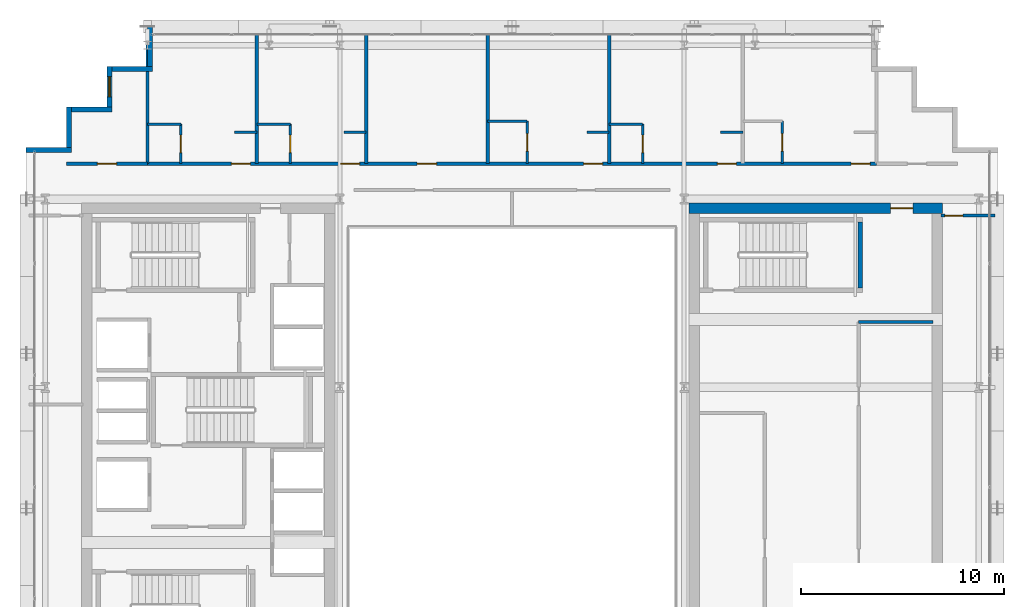
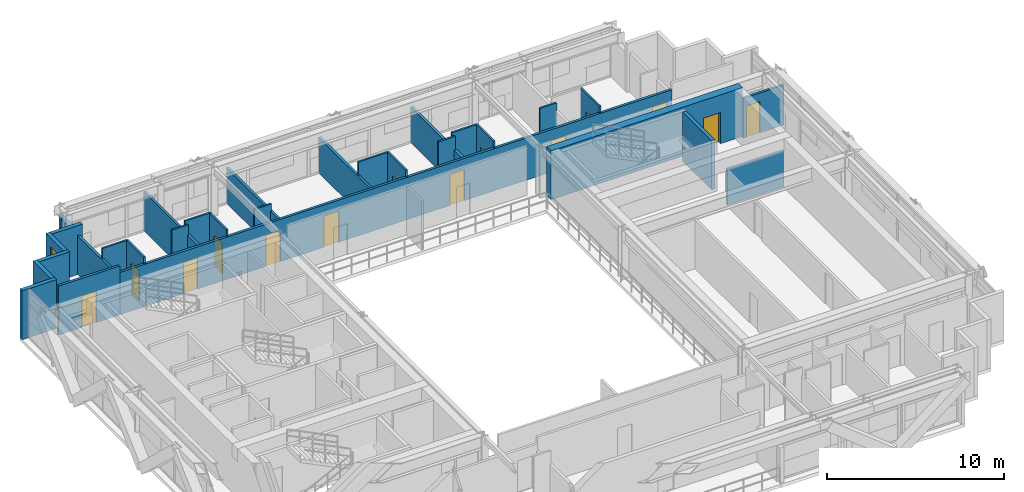
# One storey, part 27 of 32: 30 walls, 14 doors, 1 window, 15 openings.
"""IFC4 building model written with IfcOpenShell, lengths in metres."""

from ifc_helpers import new_model, si_unit, direction, frame, frame_2d, origin, place, context, subcontext, project, spatial, rectangle, extrude, source, transform, mapped, material, layer, layer_set, type_object, element, fill, save


model = new_model("IFC4")

# Units and contexts
model_context = context("Model", 3, precision=1e-05, world=origin(), true_north=direction((0.0, 1.0)))
body_context = subcontext(model_context, "Body", "Model", "MODEL_VIEW")
ifc_project = project(units=[si_unit("LENGTHUNIT", "METRE"), si_unit("AREAUNIT", "SQUARE_METRE"), si_unit("VOLUMEUNIT", "CUBIC_METRE"), si_unit("PLANEANGLEUNIT", "RADIAN"), si_unit("MASSUNIT", "GRAM", prefix="KILO")], contexts=[model_context])

# Site, building, storey
site_placement = place(None, origin())
site = spatial("IfcSite", under=ifc_project, at=site_placement, CompositionType="ELEMENT")
building_placement = place(site_placement, origin())
building = spatial("IfcBuilding", under=site, at=building_placement, Name="Ocotamira Hotel", CompositionType="ELEMENT")
storey_placement = place(building_placement, frame((0.0, 0.0, 206.39990234375)))
storey = spatial("IfcBuildingStorey", under=building, at=storey_placement, Name="L52", CompositionType="ELEMENT", Elevation=206.39990234375)

# Wall, opening, door
ifc_material_1 = material(Name="Concrete C50/60", Category="concrete")
ifc_layer_1 = layer(ifc_material_1, 0.5)
ifc_layer_set_1 = layer_set([ifc_layer_1], Name="Concrete C50/60")
wall_type_1 = type_object("IfcWallType", Name="WL-CORE-500", PredefinedType="SHEAR", material=ifc_layer_set_1)
wall_1_placement = place(storey_placement, frame((40.75, 37.0, 0.0), z_axis=(0.0, 0.0, 1.0), x_axis=(1.0, 0.0, 0.0)))
wall_1 = element("IfcWall", 1, at=wall_1_placement, inside=storey, type_object=wall_type_1, Name="L52 Shear Core Wall ECORE-N", PredefinedType="SHEAR", context=body_context, shape_type="SweptSolid", body=[
    extrude(rectangle(XDim=12.5, YDim=0.5, at=frame_2d((6.25, 0.0))), origin(), (0.0, 0.0, 1.0), 3.3701171875),
])
opening_1_placement = place(wall_1_placement, frame((9.949951171875, 0.0, 0.0)))
opening_1 = element("IfcOpeningElement", 2, at=opening_1_placement, cuts=wall_1, Name="Opening D-FR1", PredefinedType="OPENING", context=body_context, shape_type="SweptSolid", body=[
    extrude(rectangle(XDim=1.10009765625, YDim=2.14990234375, at=frame_2d((0.550048828125, 1.074951171875))), frame((0.0, 0.260009765625, 0.0), z_axis=(0.0, -1.0, 0.0), x_axis=(1.0, 0.0, 0.0)), (0.0, 0.0, 1.0), 0.52001953125),
])
ifc_material_2 = material(Name="Fire-rated acoustic timber-veneer door", Category="wood")
door_type_1 = type_object("IfcDoorType", Name="DR-FIRE-1100", OperationType="NOTDEFINED", PredefinedType="DOOR", material=ifc_material_2)
shared_shape_1 = source(origin(), body_context, "Body", "SweptSolid", [
    extrude(rectangle(XDim=1.10009765625, YDim=2.14990234375, at=frame_2d((0.550048828125, 1.074951171875))), frame((0.0, 0.02490234375, 0.0), z_axis=(0.0, -1.0, 0.0), x_axis=(1.0, 0.0, 0.0)), (0.0, 0.0, 1.0), 0.050048828125),
])
door_1_placement = place(opening_1_placement, origin())
door_1 = element("IfcDoor", 3, at=door_1_placement, inside=storey, type_object=door_type_1, Name="L52 Door ID-L52-ELOB-N-D [ID-L52-ELOB-N-D]", OperationType="SINGLE_SWING_LEFT", OverallHeight=2.14990234375, OverallWidth=1.10009765625, PredefinedType="DOOR", context=body_context, shape_type="MappedRepresentation", body=[
    mapped(shared_shape_1, transform((0.0, 0.0, 0.0), scale=1.0)),
])
fill(opening_1, door_1)

# Walls
ifc_material_3 = material(Name="Precast concrete C45/55", Category="concrete")
ifc_layer_2 = layer(ifc_material_3, 0.25)
ifc_layer_set_2 = layer_set([ifc_layer_2], Name="Precast concrete C45/55")
wall_type_2 = type_object("IfcWallType", Name="WL-EXT-SER-250", PredefinedType="SOLIDWALL", material=ifc_layer_set_2)
wall_2_placement = place(storey_placement, frame((14.125, 46.0, 0.0), z_axis=(0.0, 0.0, 1.0), x_axis=(0.0, -1.0, 0.0)))
element("IfcWall", 4, at=wall_2_placement, inside=storey, type_object=wall_type_2, Name="L52 Serrated Corner Wall 13", PredefinedType="SOLIDWALL", context=body_context, shape_type="SweptSolid", body=[
    extrude(rectangle(XDim=2.0, YDim=0.25, at=frame_2d((1.0, 0.0))), origin(), (0.0, 0.0, 1.0), 2.677001953125),
])
wall_3_placement = place(storey_placement, frame((14.25, 43.875, 0.0), z_axis=(0.0, 0.0, 1.0), x_axis=(-1.0, 0.0, 0.0)))
element("IfcWall", 5, at=wall_3_placement, inside=storey, type_object=wall_type_2, Name="L52 Serrated Corner Wall 14", PredefinedType="SOLIDWALL", context=body_context, shape_type="SweptSolid", body=[
    extrude(rectangle(XDim=2.0, YDim=0.25, at=frame_2d((1.0, 0.0))), origin(), (0.0, 0.0, 1.0), 3.3701171875),
])

# Wall, opening, window
wall_4_placement = place(storey_placement, frame((12.125, 44.0, 0.0), z_axis=(0.0, 0.0, 1.0), x_axis=(0.0, -1.0, 0.0)))
wall_4 = element("IfcWall", 6, at=wall_4_placement, inside=storey, type_object=wall_type_2, Name="L52 Serrated Corner Wall 15", PredefinedType="SOLIDWALL", context=body_context, shape_type="SweptSolid", body=[
    extrude(rectangle(XDim=2.0, YDim=0.25, at=frame_2d((1.0, 0.0))), origin(), (0.0, 0.0, 1.0), 3.3701171875),
])
opening_2_placement = place(wall_4_placement, frame((0.5, 0.0, 0.85009765625)))
opening_2 = element("IfcOpeningElement", 7, at=opening_2_placement, cuts=wall_4, Name="Opening WN-2", PredefinedType="OPENING", context=body_context, shape_type="SweptSolid", body=[
    extrude(rectangle(XDim=1.0, YDim=1.89990234375, at=frame_2d((0.5, 0.949951171875))), frame((0.0, 0.135009765625, 0.0), z_axis=(0.0, -1.0, 0.0), x_axis=(1.0, 0.0, 0.0)), (0.0, 0.0, 1.0), 0.27001953125),
])
ifc_material_4 = material(Name="Double-silver low-E solar glass", Category="glass")
window_type = type_object("IfcWindowType", Name="WIN-SER-1100", PartitioningType="SINGLE_PANEL", PredefinedType="WINDOW", material=ifc_material_4)
shared_shape_2 = source(origin(), body_context, "Body", "SweptSolid", [
    extrude(rectangle(XDim=1.0, YDim=1.89990234375, at=frame_2d((0.5, 0.949951171875))), frame((0.0, 0.030029296875, 0.0), z_axis=(0.0, -1.0, 0.0), x_axis=(1.0, 0.0, 0.0)), (0.0, 0.0, 1.0), 0.06005859375),
])
window_placement = place(opening_2_placement, origin())
window = element("IfcWindow", 8, at=window_placement, inside=storey, type_object=window_type, Name="L52 Serrated Corner Window 15", OverallHeight=1.89990234375, OverallWidth=1.0, PartitioningType="SINGLE_PANEL", PredefinedType="WINDOW", context=body_context, shape_type="MappedRepresentation", body=[
    mapped(shared_shape_2, transform((0.0, 0.0, 0.0), scale=1.0)),
])
fill(opening_2, window)

# Walls
for number, where, z_axis, x_axis, name in (
    (9, (12.25, 41.875, 0.0), (0.0, 0.0, 1.0), (-1.0, 0.0, 0.0), "L52 Serrated Corner Wall 16"),
    (10, (10.125, 42.0, 0.0), (0.0, 0.0, 1.0), (0.0, -1.0, 0.0), "L52 Serrated Corner Wall 17"),
):
    element("IfcWall", number, at=place(storey_placement, frame(where, z_axis=z_axis, x_axis=x_axis)), inside=storey, type_object=wall_type_2, Name=name, PredefinedType="SOLIDWALL", context=body_context, shape_type="SweptSolid", body=[
        extrude(rectangle(XDim=2.0, YDim=0.25, at=frame_2d((1.0, 0.0))), origin(), (0.0, 0.0, 1.0), 3.3701171875),
    ])
wall_5_placement = place(storey_placement, frame((10.25, 39.875, 0.0), z_axis=(0.0, 0.0, 1.0), x_axis=(-1.0, 0.0, 0.0)))
element("IfcWall", 11, at=wall_5_placement, inside=storey, type_object=wall_type_2, Name="L52 Serrated Corner Wall 18", PredefinedType="SOLIDWALL", context=body_context, shape_type="SweptSolid", body=[
    extrude(rectangle(XDim=2.25, YDim=0.25, at=frame_2d((1.125, 0.0))), origin(), (0.0, 0.0, 1.0), 3.3701171875),
])
ifc_material_5 = material(Name="Acoustic double-layer fire gypsum board partition", Category="gypsum")
ifc_layer_3 = layer(ifc_material_5, 0.159912109375)
ifc_layer_set_3 = layer_set([ifc_layer_3], Name="Acoustic double-layer fire gypsum board partition")
wall_type_3 = type_object("IfcWallType", Name="WL-FIRE-160", PredefinedType="PARTITIONING", material=ifc_layer_set_3)
wall_6_placement = place(storey_placement, frame((49.1201171875, 31.3798828125, 0.0), z_axis=(0.0, 0.0, 1.0), x_axis=(1.0, 0.0, 0.0)))
element("IfcWall", 12, at=wall_6_placement, inside=storey, type_object=wall_type_3, Name="L52 Interior Wall PW-L52-EC-FLOW-N", PredefinedType="PARTITIONING", context=body_context, shape_type="SweptSolid", body=[
    extrude(rectangle(XDim=3.679931640625, YDim=0.159912109375, at=frame_2d((1.83984375, 0.0))), origin(), (0.0, 0.0, 1.0), 2.47021484375),
])

# Wall, opening, door
wall_7_placement = place(storey_placement, frame((10.0, 39.199951171875, 0.0), z_axis=(0.0, 0.0, 1.0), x_axis=(1.0, 0.0, 0.0)))
wall_7 = element("IfcWall", 13, at=wall_7_placement, inside=storey, type_object=wall_type_3, Name="L52 Interior Wall PW-L52-Z3E-CNW-CW", PredefinedType="PARTITIONING", context=body_context, shape_type="SweptSolid", body=[
    extrude(rectangle(XDim=4.0, YDim=0.159912109375, at=frame_2d((2.0, 0.0))), origin(), (0.0, 0.0, 1.0), 3.3701171875),
])
opening_3_placement = place(wall_7_placement, frame((1.52001953125, 0.0, 0.0)))
opening_3 = element("IfcOpeningElement", 14, at=opening_3_placement, cuts=wall_7, Name="Opening D-SV4", PredefinedType="OPENING", context=body_context, shape_type="SweptSolid", body=[
    extrude(rectangle(XDim=0.9599609375, YDim=2.14990234375, at=frame_2d((0.47998046875, 1.074951171875))), frame((0.0, 0.08984375, 0.0), z_axis=(0.0, -1.0, 0.0), x_axis=(1.0, 0.0, 0.0)), (0.0, 0.0, 1.0), 0.179931640625),
])
ifc_material_6 = material(Name="Fire-rated accessible walnut salon door", Category="wood")
door_type_2 = type_object("IfcDoorType", Name="DR-SERV-960", OperationType="NOTDEFINED", PredefinedType="DOOR", material=ifc_material_6)
shared_shape_3 = source(origin(), body_context, "Body", "SweptSolid", [
    extrude(rectangle(XDim=0.9599609375, YDim=2.14990234375, at=frame_2d((0.47998046875, 1.074951171875))), frame((0.0, 0.02490234375, 0.0), z_axis=(0.0, -1.0, 0.0), x_axis=(1.0, 0.0, 0.0)), (0.0, 0.0, 1.0), 0.050048828125),
])
door_2_placement = place(opening_3_placement, origin())
door_2 = element("IfcDoor", 15, at=door_2_placement, inside=storey, type_object=door_type_2, Name="L52 Door ID-L52-Z3E-CNW-CD [ID-L52-Z3E-CNW-CD]", OperationType="SINGLE_SWING_LEFT", OverallHeight=2.14990234375, OverallWidth=0.9599609375, PredefinedType="DOOR", context=body_context, shape_type="MappedRepresentation", body=[
    mapped(shared_shape_3, transform((0.0, 0.0, 0.0), scale=1.0)),
])
fill(opening_3, door_2)

# Wall, openings, doors
wall_8_placement = place(storey_placement, frame((14.0, 39.199951171875, 0.0), z_axis=(0.0, 0.0, 1.0), x_axis=(1.0, 0.0, 0.0)))
wall_8 = element("IfcWall", 16, at=wall_8_placement, inside=storey, type_object=wall_type_3, Name="L52 Interior Wall PW-L52-Z3EN-CORRW", PredefinedType="PARTITIONING", context=body_context, shape_type="SweptSolid", body=[
    extrude(rectangle(XDim=36.0, YDim=0.159912109375, at=frame_2d((18.0, 0.0))), origin(), (0.0, 0.0, 1.0), 2.9130859375),
])
opening_4_placement = place(wall_8_placement, frame((4.139892578125, 0.0, 0.0)))
opening_4 = element("IfcOpeningElement", 17, at=opening_4_placement, cuts=wall_8, Name="Opening D-GR1", PredefinedType="OPENING", context=body_context, shape_type="SweptSolid", body=[
    extrude(rectangle(XDim=0.93994140625, YDim=2.14990234375, at=frame_2d((0.469970703125, 1.074951171875))), frame((0.0, 0.08984375, 0.0), z_axis=(0.0, -1.0, 0.0), x_axis=(1.0, 0.0, 0.0)), (0.0, 0.0, 1.0), 0.179931640625),
])
opening_5_placement = place(wall_8_placement, frame((9.5400390625, 0.0, 0.0)))
opening_5 = element("IfcOpeningElement", 18, at=opening_5_placement, cuts=wall_8, Name="Opening D-GR1", PredefinedType="OPENING", context=body_context, shape_type="SweptSolid", body=[
    extrude(rectangle(XDim=0.93994140625, YDim=2.14990234375, at=frame_2d((0.469970703125, 1.074951171875))), frame((0.0, 0.08984375, 0.0), z_axis=(0.0, -1.0, 0.0), x_axis=(1.0, 0.0, 0.0)), (0.0, 0.0, 1.0), 0.179931640625),
])
opening_6_placement = place(wall_8_placement, frame((13.320068359375, 0.0, 0.0)))
opening_6 = element("IfcOpeningElement", 19, at=opening_6_placement, cuts=wall_8, Name="Opening D-SV4", PredefinedType="OPENING", context=body_context, shape_type="SweptSolid", body=[
    extrude(rectangle(XDim=0.9599609375, YDim=2.14990234375, at=frame_2d((0.47998046875, 1.074951171875))), frame((0.0, 0.08984375, 0.0), z_axis=(0.0, -1.0, 0.0), x_axis=(1.0, 0.0, 0.0)), (0.0, 0.0, 1.0), 0.179931640625),
])
opening_7_placement = place(wall_8_placement, frame((21.5400390625, 0.0, 0.0)))
opening_7 = element("IfcOpeningElement", 20, at=opening_7_placement, cuts=wall_8, Name="Opening D-GR1", PredefinedType="OPENING", context=body_context, shape_type="SweptSolid", body=[
    extrude(rectangle(XDim=0.93994140625, YDim=2.14990234375, at=frame_2d((0.469970703125, 1.074951171875))), frame((0.0, 0.08984375, 0.0), z_axis=(0.0, -1.0, 0.0), x_axis=(1.0, 0.0, 0.0)), (0.0, 0.0, 1.0), 0.179931640625),
])
opening_8_placement = place(wall_8_placement, frame((28.139892578125, 0.0, 0.0)))
opening_8 = element("IfcOpeningElement", 21, at=opening_8_placement, cuts=wall_8, Name="Opening D-GR1", PredefinedType="OPENING", context=body_context, shape_type="SweptSolid", body=[
    extrude(rectangle(XDim=0.93994140625, YDim=2.14990234375, at=frame_2d((0.469970703125, 1.074951171875))), frame((0.0, 0.08984375, 0.0), z_axis=(0.0, -1.0, 0.0), x_axis=(1.0, 0.0, 0.0)), (0.0, 0.0, 1.0), 0.179931640625),
])
opening_9_placement = place(wall_8_placement, frame((34.739990234375, 0.0, 0.0)))
opening_9 = element("IfcOpeningElement", 22, at=opening_9_placement, cuts=wall_8, Name="Opening D-GR1", PredefinedType="OPENING", context=body_context, shape_type="SweptSolid", body=[
    extrude(rectangle(XDim=0.93994140625, YDim=2.14990234375, at=frame_2d((0.469970703125, 1.074951171875))), frame((0.0, 0.08984375, 0.0), z_axis=(0.0, -1.0, 0.0), x_axis=(1.0, 0.0, 0.0)), (0.0, 0.0, 1.0), 0.179931640625),
])
door_3_placement = place(opening_6_placement, origin())
door_3 = element("IfcDoor", 23, at=door_3_placement, inside=storey, type_object=door_type_2, Name="L52 Door ID-L52-Z3EN-AMD3 [ID-L52-Z3EN-AMD3]", OperationType="SINGLE_SWING_LEFT", OverallHeight=2.14990234375, OverallWidth=0.9599609375, PredefinedType="DOOR", context=body_context, shape_type="MappedRepresentation", body=[
    mapped(shared_shape_3, transform((0.0, 0.0, 0.0), scale=1.0)),
])
fill(opening_6, door_3)
ifc_material_7 = material(Name="Solid-core walnut suite entrance fire door", Category="wood")
door_type_3 = type_object("IfcDoorType", Name="DR-GUEST-940", OperationType="NOTDEFINED", PredefinedType="DOOR", material=ifc_material_7)
shared_shape_4 = source(origin(), body_context, "Body", "SweptSolid", [
    extrude(rectangle(XDim=0.93994140625, YDim=2.14990234375, at=frame_2d((0.469970703125, 1.074951171875))), frame((0.0, 0.02490234375, 0.0), z_axis=(0.0, -1.0, 0.0), x_axis=(1.0, 0.0, 0.0)), (0.0, 0.0, 1.0), 0.050048828125),
])
door_4_placement = place(opening_4_placement, origin())
door_4 = element("IfcDoor", 24, at=door_4_placement, inside=storey, type_object=door_type_3, Name="L52 Door ID-L52-Z3EN-RMD1 [ID-L52-Z3EN-RMD1]", OperationType="SINGLE_SWING_LEFT", OverallHeight=2.14990234375, OverallWidth=0.93994140625, PredefinedType="DOOR", context=body_context, shape_type="MappedRepresentation", body=[
    mapped(shared_shape_4, transform((0.0, 0.0, 0.0), scale=1.0)),
])
fill(opening_4, door_4)
door_5_placement = place(opening_5_placement, origin())
door_5 = element("IfcDoor", 25, at=door_5_placement, inside=storey, type_object=door_type_3, Name="L52 Door ID-L52-Z3EN-RMD2 [ID-L52-Z3EN-RMD2]", OperationType="SINGLE_SWING_RIGHT", OverallHeight=2.14990234375, OverallWidth=0.93994140625, PredefinedType="DOOR", context=body_context, shape_type="MappedRepresentation", body=[
    mapped(shared_shape_4, transform((0.0, 0.0, 0.0), scale=1.0)),
])
fill(opening_5, door_5)
door_6_placement = place(opening_7_placement, origin())
door_6 = element("IfcDoor", 26, at=door_6_placement, inside=storey, type_object=door_type_3, Name="L52 Door ID-L52-Z3EN-RMD4 [ID-L52-Z3EN-RMD4]", OperationType="SINGLE_SWING_RIGHT", OverallHeight=2.14990234375, OverallWidth=0.93994140625, PredefinedType="DOOR", context=body_context, shape_type="MappedRepresentation", body=[
    mapped(shared_shape_4, transform((0.0, 0.0, 0.0), scale=1.0)),
])
fill(opening_7, door_6)
door_7_placement = place(opening_8_placement, origin())
door_7 = element("IfcDoor", 27, at=door_7_placement, inside=storey, type_object=door_type_3, Name="L52 Door ID-L52-Z3EN-RMD5 [ID-L52-Z3EN-RMD5]", OperationType="SINGLE_SWING_LEFT", OverallHeight=2.14990234375, OverallWidth=0.93994140625, PredefinedType="DOOR", context=body_context, shape_type="MappedRepresentation", body=[
    mapped(shared_shape_4, transform((0.0, 0.0, 0.0), scale=1.0)),
])
fill(opening_8, door_7)
door_8_placement = place(opening_9_placement, origin())
door_8 = element("IfcDoor", 28, at=door_8_placement, inside=storey, type_object=door_type_3, Name="L52 Door ID-L52-Z3EN-RMD6 [ID-L52-Z3EN-RMD6]", OperationType="SINGLE_SWING_RIGHT", OverallHeight=2.14990234375, OverallWidth=0.93994140625, PredefinedType="DOOR", context=body_context, shape_type="MappedRepresentation", body=[
    mapped(shared_shape_4, transform((0.0, 0.0, 0.0), scale=1.0)),
])
fill(opening_9, door_8)

# Wall, opening, door
ifc_material_8 = material(Name="Moisture-resistant en-suite tile and gypsum partition", Category="gypsum")
ifc_layer_4 = layer(ifc_material_8, 0.1201171875)
ifc_layer_set_4 = layer_set([ifc_layer_4], Name="Moisture-resistant en-suite tile and gypsum partition")
wall_type_4 = type_object("IfcWallType", Name="WL-PART-120", PredefinedType="PARTITIONING", material=ifc_layer_set_4)
wall_9_placement = place(storey_placement, frame((15.64990234375, 39.199951171875, 0.0), z_axis=(0.0, 0.0, 1.0), x_axis=(0.0, 1.0, 0.0)))
wall_9 = element("IfcWall", 29, at=wall_9_placement, inside=storey, type_object=wall_type_4, Name="L52 Interior Wall PW-L52-Z3EN-BAE1", PredefinedType="PARTITIONING", context=body_context, shape_type="SweptSolid", body=[
    extrude(rectangle(XDim=1.949951171875, YDim=0.1201171875, at=frame_2d((0.97509765625, 0.0))), origin(), (0.0, 0.0, 1.0), 3.3701171875),
])
opening_10_placement = place(wall_9_placement, frame((0.544921875, 0.0, 0.0)))
opening_10 = element("IfcOpeningElement", 30, at=opening_10_placement, cuts=wall_9, Name="Opening D-BA1", PredefinedType="OPENING", context=body_context, shape_type="SweptSolid", body=[
    extrude(rectangle(XDim=0.860107421875, YDim=2.10009765625, at=frame_2d((0.43017578125, 1.050048828125))), frame((0.0, 0.070068359375, 0.0), z_axis=(0.0, -1.0, 0.0), x_axis=(1.0, 0.0, 0.0)), (0.0, 0.0, 1.0), 0.14013671875),
])
ifc_material_9 = material(Name="Moisture-sealed en-suite timber door", Category="wood")
door_type_4 = type_object("IfcDoorType", Name="DR-BATH-860", OperationType="NOTDEFINED", PredefinedType="DOOR", material=ifc_material_9)
shared_shape_5 = source(origin(), body_context, "Body", "SweptSolid", [
    extrude(rectangle(XDim=0.860107421875, YDim=2.10009765625, at=frame_2d((0.43017578125, 1.050048828125))), frame((0.0, 0.02490234375, 0.0), z_axis=(0.0, -1.0, 0.0), x_axis=(1.0, 0.0, 0.0)), (0.0, 0.0, 1.0), 0.050048828125),
])
door_9_placement = place(opening_10_placement, origin())
door_9 = element("IfcDoor", 31, at=door_9_placement, inside=storey, type_object=door_type_4, Name="L52 Door ID-L52-Z3EN-BAD1 [ID-L52-Z3EN-BAD1]", OperationType="SINGLE_SWING_RIGHT", OverallHeight=2.10009765625, OverallWidth=0.860107421875, PredefinedType="DOOR", context=body_context, shape_type="MappedRepresentation", body=[
    mapped(shared_shape_5, transform((0.0, 0.0, 0.0), scale=1.0)),
])
fill(opening_10, door_9)

# Walls
wall_10_placement = place(storey_placement, frame((14.0, 41.14990234375, 0.0), z_axis=(0.0, 0.0, 1.0), x_axis=(1.0, 0.0, 0.0)))
element("IfcWall", 32, at=wall_10_placement, inside=storey, type_object=wall_type_4, Name="L52 Interior Wall PW-L52-Z3EN-BAN1", PredefinedType="PARTITIONING", context=body_context, shape_type="SweptSolid", body=[
    extrude(rectangle(XDim=1.64990234375, YDim=0.1201171875, at=frame_2d((0.824951171875, 0.0))), origin(), (0.0, 0.0, 1.0), 3.3701171875),
])
wall_11_placement = place(storey_placement, frame((18.300048828125, 40.75, 0.0), z_axis=(0.0, 0.0, 1.0), x_axis=(1.0, 0.0, 0.0)))
element("IfcWall", 33, at=wall_11_placement, inside=storey, type_object=wall_type_4, Name="L52 Interior Wall PW-L52-Z3EN-DRN1", PredefinedType="PARTITIONING", context=body_context, shape_type="SweptSolid", body=[
    extrude(rectangle(XDim=1.099853515625, YDim=0.1201171875, at=frame_2d((0.5498046875, 0.0))), origin(), (0.0, 0.0, 1.0), 3.3701171875),
])

# Wall, opening, door
wall_12_placement = place(storey_placement, frame((21.050048828125, 39.199951171875, 0.0), z_axis=(0.0, 0.0, 1.0), x_axis=(0.0, 1.0, 0.0)))
wall_12 = element("IfcWall", 34, at=wall_12_placement, inside=storey, type_object=wall_type_4, Name="L52 Interior Wall PW-L52-Z3EN-BAE2", PredefinedType="PARTITIONING", context=body_context, shape_type="SweptSolid", body=[
    extrude(rectangle(XDim=1.949951171875, YDim=0.1201171875, at=frame_2d((0.97509765625, 0.0))), origin(), (0.0, 0.0, 1.0), 3.3701171875),
])
opening_11_placement = place(wall_12_placement, frame((0.544921875, 0.0, 0.0)))
opening_11 = element("IfcOpeningElement", 35, at=opening_11_placement, cuts=wall_12, Name="Opening D-BA1", PredefinedType="OPENING", context=body_context, shape_type="SweptSolid", body=[
    extrude(rectangle(XDim=0.860107421875, YDim=2.10009765625, at=frame_2d((0.43017578125, 1.050048828125))), frame((0.0, 0.070068359375, 0.0), z_axis=(0.0, -1.0, 0.0), x_axis=(1.0, 0.0, 0.0)), (0.0, 0.0, 1.0), 0.14013671875),
])
door_10_placement = place(opening_11_placement, origin())
door_10 = element("IfcDoor", 36, at=door_10_placement, inside=storey, type_object=door_type_4, Name="L52 Door ID-L52-Z3EN-BAD2 [ID-L52-Z3EN-BAD2]", OperationType="SINGLE_SWING_LEFT", OverallHeight=2.10009765625, OverallWidth=0.860107421875, PredefinedType="DOOR", context=body_context, shape_type="MappedRepresentation", body=[
    mapped(shared_shape_5, transform((0.0, 0.0, 0.0), scale=1.0)),
])
fill(opening_11, door_10)

# Walls
wall_13_placement = place(storey_placement, frame((19.39990234375, 41.14990234375, 0.0), z_axis=(0.0, 0.0, 1.0), x_axis=(1.0, 0.0, 0.0)))
element("IfcWall", 37, at=wall_13_placement, inside=storey, type_object=wall_type_4, Name="L52 Interior Wall PW-L52-Z3EN-BAN2", PredefinedType="PARTITIONING", context=body_context, shape_type="SweptSolid", body=[
    extrude(rectangle(XDim=1.650146484375, YDim=0.1201171875, at=frame_2d((0.8251953125, 0.0))), origin(), (0.0, 0.0, 1.0), 3.3701171875),
])
wall_14_placement = place(storey_placement, frame((23.699951171875, 40.75, 0.0), z_axis=(0.0, 0.0, 1.0), x_axis=(1.0, 0.0, 0.0)))
element("IfcWall", 38, at=wall_14_placement, inside=storey, type_object=wall_type_4, Name="L52 Interior Wall PW-L52-Z3EN-DRN2", PredefinedType="PARTITIONING", context=body_context, shape_type="SweptSolid", body=[
    extrude(rectangle(XDim=1.10009765625, YDim=0.1201171875, at=frame_2d((0.550048828125, 0.0))), origin(), (0.0, 0.0, 1.0), 2.9130859375),
])

# Wall, opening, door
wall_15_placement = place(storey_placement, frame((32.75, 39.199951171875, 0.0), z_axis=(0.0, 0.0, 1.0), x_axis=(0.0, 1.0, 0.0)))
wall_15 = element("IfcWall", 39, at=wall_15_placement, inside=storey, type_object=wall_type_4, Name="L52 Interior Wall PW-L52-Z3EN-BAE4", PredefinedType="PARTITIONING", context=body_context, shape_type="SweptSolid", body=[
    extrude(rectangle(XDim=2.10009765625, YDim=0.1201171875, at=frame_2d((1.050048828125, 0.0))), origin(), (0.0, 0.0, 1.0), 3.3701171875),
])
opening_12_placement = place(wall_15_placement, frame((0.6201171875, 0.0, 0.0)))
opening_12 = element("IfcOpeningElement", 40, at=opening_12_placement, cuts=wall_15, Name="Opening D-BA1", PredefinedType="OPENING", context=body_context, shape_type="SweptSolid", body=[
    extrude(rectangle(XDim=0.860107421875, YDim=2.10009765625, at=frame_2d((0.43017578125, 1.050048828125))), frame((0.0, 0.070068359375, 0.0), z_axis=(0.0, -1.0, 0.0), x_axis=(1.0, 0.0, 0.0)), (0.0, 0.0, 1.0), 0.14013671875),
])
door_11_placement = place(opening_12_placement, origin())
door_11 = element("IfcDoor", 41, at=door_11_placement, inside=storey, type_object=door_type_4, Name="L52 Door ID-L52-Z3EN-BAD4 [ID-L52-Z3EN-BAD4]", OperationType="SINGLE_SWING_LEFT", OverallHeight=2.10009765625, OverallWidth=0.860107421875, PredefinedType="DOOR", context=body_context, shape_type="MappedRepresentation", body=[
    mapped(shared_shape_5, transform((0.0, 0.0, 0.0), scale=1.0)),
])
fill(opening_12, door_11)

# Walls
wall_16_placement = place(storey_placement, frame((30.800048828125, 41.300048828125, 0.0), z_axis=(0.0, 0.0, 1.0), x_axis=(1.0, 0.0, 0.0)))
element("IfcWall", 42, at=wall_16_placement, inside=storey, type_object=wall_type_4, Name="L52 Interior Wall PW-L52-Z3EN-BAN4", PredefinedType="PARTITIONING", context=body_context, shape_type="SweptSolid", body=[
    extrude(rectangle(XDim=1.949951171875, YDim=0.1201171875, at=frame_2d((0.97509765625, 0.0))), origin(), (0.0, 0.0, 1.0), 3.3701171875),
])
wall_17_placement = place(storey_placement, frame((35.699951171875, 40.75, 0.0), z_axis=(0.0, 0.0, 1.0), x_axis=(1.0, 0.0, 0.0)))
element("IfcWall", 43, at=wall_17_placement, inside=storey, type_object=wall_type_4, Name="L52 Interior Wall PW-L52-Z3EN-DRN4", PredefinedType="PARTITIONING", context=body_context, shape_type="SweptSolid", body=[
    extrude(rectangle(XDim=1.10009765625, YDim=0.1201171875, at=frame_2d((0.550048828125, 0.0))), origin(), (0.0, 0.0, 1.0), 3.3701171875),
])

# Wall, opening, door
wall_18_placement = place(storey_placement, frame((38.449951171875, 39.199951171875, 0.0), z_axis=(0.0, 0.0, 1.0), x_axis=(0.0, 1.0, 0.0)))
wall_18 = element("IfcWall", 44, at=wall_18_placement, inside=storey, type_object=wall_type_4, Name="L52 Interior Wall PW-L52-Z3EN-BAE5", PredefinedType="PARTITIONING", context=body_context, shape_type="SweptSolid", body=[
    extrude(rectangle(XDim=1.949951171875, YDim=0.1201171875, at=frame_2d((0.97509765625, 0.0))), origin(), (0.0, 0.0, 1.0), 3.3701171875),
])
opening_13_placement = place(wall_18_placement, frame((0.544921875, 0.0, 0.0)))
opening_13 = element("IfcOpeningElement", 45, at=opening_13_placement, cuts=wall_18, Name="Opening D-BA1", PredefinedType="OPENING", context=body_context, shape_type="SweptSolid", body=[
    extrude(rectangle(XDim=0.860107421875, YDim=2.10009765625, at=frame_2d((0.43017578125, 1.050048828125))), frame((0.0, 0.070068359375, 0.0), z_axis=(0.0, -1.0, 0.0), x_axis=(1.0, 0.0, 0.0)), (0.0, 0.0, 1.0), 0.14013671875),
])
door_12_placement = place(opening_13_placement, origin())
door_12 = element("IfcDoor", 46, at=door_12_placement, inside=storey, type_object=door_type_4, Name="L52 Door ID-L52-Z3EN-BAD5 [ID-L52-Z3EN-BAD5]", OperationType="SINGLE_SWING_RIGHT", OverallHeight=2.10009765625, OverallWidth=0.860107421875, PredefinedType="DOOR", context=body_context, shape_type="MappedRepresentation", body=[
    mapped(shared_shape_5, transform((0.0, 0.0, 0.0), scale=1.0)),
])
fill(opening_13, door_12)

# Walls
wall_19_placement = place(storey_placement, frame((36.800048828125, 41.14990234375, 0.0), z_axis=(0.0, 0.0, 1.0), x_axis=(1.0, 0.0, 0.0)))
element("IfcWall", 47, at=wall_19_placement, inside=storey, type_object=wall_type_4, Name="L52 Interior Wall PW-L52-Z3EN-BAN5", PredefinedType="PARTITIONING", context=body_context, shape_type="SweptSolid", body=[
    extrude(rectangle(XDim=1.64990234375, YDim=0.1201171875, at=frame_2d((0.824951171875, 0.0))), origin(), (0.0, 0.0, 1.0), 3.3701171875),
])
wall_20_placement = place(storey_placement, frame((42.300048828125, 40.75, 0.0), z_axis=(0.0, 0.0, 1.0), x_axis=(1.0, 0.0, 0.0)))
element("IfcWall", 48, at=wall_20_placement, inside=storey, type_object=wall_type_4, Name="L52 Interior Wall PW-L52-Z3EN-DRN5", PredefinedType="PARTITIONING", context=body_context, shape_type="SweptSolid", body=[
    extrude(rectangle(XDim=1.099853515625, YDim=0.1201171875, at=frame_2d((0.5498046875, 0.0))), origin(), (0.0, 0.0, 1.0), 3.3701171875),
])

# Wall, opening, door
wall_21_placement = place(storey_placement, frame((45.35009765625, 39.199951171875, 0.0), z_axis=(0.0, 0.0, 1.0), x_axis=(0.0, 1.0, 0.0)))
wall_21 = element("IfcWall", 49, at=wall_21_placement, inside=storey, type_object=wall_type_4, Name="L52 Interior Wall PW-L52-Z3EN-BAE6", PredefinedType="PARTITIONING", context=body_context, shape_type="SweptSolid", body=[
    extrude(rectangle(XDim=2.10009765625, YDim=0.1201171875, at=frame_2d((1.050048828125, 0.0))), origin(), (0.0, 0.0, 1.0), 3.3701171875),
])
opening_14_placement = place(wall_21_placement, frame((0.6201171875, 0.0, 0.0)))
opening_14 = element("IfcOpeningElement", 50, at=opening_14_placement, cuts=wall_21, Name="Opening D-BA1", PredefinedType="OPENING", context=body_context, shape_type="SweptSolid", body=[
    extrude(rectangle(XDim=0.860107421875, YDim=2.10009765625, at=frame_2d((0.43017578125, 1.050048828125))), frame((0.0, 0.070068359375, 0.0), z_axis=(0.0, -1.0, 0.0), x_axis=(1.0, 0.0, 0.0)), (0.0, 0.0, 1.0), 0.14013671875),
])
door_13_placement = place(opening_14_placement, origin())
door_13 = element("IfcDoor", 51, at=door_13_placement, inside=storey, type_object=door_type_4, Name="L52 Door ID-L52-Z3EN-BAD6 [ID-L52-Z3EN-BAD6]", OperationType="SINGLE_SWING_LEFT", OverallHeight=2.10009765625, OverallWidth=0.860107421875, PredefinedType="DOOR", context=body_context, shape_type="MappedRepresentation", body=[
    mapped(shared_shape_5, transform((0.0, 0.0, 0.0), scale=1.0)),
])
fill(opening_14, door_13)

ifc_material_10 = material(Name="Acoustic hospitality gypsum board partition", Category="gypsum")
ifc_layer_5 = layer(ifc_material_10, 0.14990234375)
ifc_layer_set_5 = layer_set([ifc_layer_5], Name="Acoustic hospitality gypsum board partition")
wall_type_5 = type_object("IfcWallType", Name="WL-PART-150", PredefinedType="PARTITIONING", material=ifc_layer_set_5)
wall_22_placement = place(storey_placement, frame((53.179931640625, 36.639892578125, 0.0), z_axis=(0.0, 0.0, 1.0), x_axis=(1.0, 0.0, 0.0)))
wall_22 = element("IfcWall", 52, at=wall_22_placement, inside=storey, type_object=wall_type_5, Name="L52 Interior Wall PW-L52-Z3E-EF-WN", PredefinedType="PARTITIONING", context=body_context, shape_type="SweptSolid", body=[
    extrude(rectangle(XDim=2.66015625, YDim=0.14990234375, at=frame_2d((1.330078125, 0.0))), origin(), (0.0, 0.0, 1.0), 2.753173828125),
])
opening_15_placement = place(wall_22_placement, frame((0.199951171875, 0.0, 0.0)))
opening_15 = element("IfcOpeningElement", 53, at=opening_15_placement, cuts=wall_22, Name="Opening D-SV2", PredefinedType="OPENING", context=body_context, shape_type="SweptSolid", body=[
    extrude(rectangle(XDim=0.8798828125, YDim=2.14990234375, at=frame_2d((0.43994140625, 1.074951171875))), frame((0.0, 0.0849609375, 0.0), z_axis=(0.0, -1.0, 0.0), x_axis=(1.0, 0.0, 0.0)), (0.0, 0.0, 1.0), 0.169921875),
])
ifc_material_11 = material(Name="Fire-rated painted steel service door", Category="steel")
door_type_5 = type_object("IfcDoorType", Name="DR-SERV-880", OperationType="NOTDEFINED", PredefinedType="DOOR", material=ifc_material_11)
shared_shape_6 = source(origin(), body_context, "Body", "SweptSolid", [
    extrude(rectangle(XDim=0.8798828125, YDim=2.14990234375, at=frame_2d((0.43994140625, 1.074951171875))), frame((0.0, 0.02490234375, 0.0), z_axis=(0.0, -1.0, 0.0), x_axis=(1.0, 0.0, 0.0)), (0.0, 0.0, 1.0), 0.050048828125),
])
door_14_placement = place(opening_15_placement, origin())
door_14 = element("IfcDoor", 54, at=door_14_placement, inside=storey, type_object=door_type_5, Name="L52 Door ID-L52-Z3E-EF-DN [ID-L52-Z3E-EF-DN]", OperationType="SINGLE_SWING_LEFT", OverallHeight=2.14990234375, OverallWidth=0.8798828125, PredefinedType="DOOR", context=body_context, shape_type="MappedRepresentation", body=[
    mapped(shared_shape_6, transform((0.0, 0.0, 0.0), scale=1.0)),
])
fill(opening_15, door_14)

# Walls
ifc_material_12 = material(Name="Acoustic double-stud hospitality gypsum partition", Category="gypsum")
ifc_layer_6 = layer(ifc_material_12, 0.159912109375)
ifc_layer_set_6 = layer_set([ifc_layer_6], Name="Acoustic double-stud hospitality gypsum partition")
wall_type_6 = type_object("IfcWallType", Name="WL-PART-160", PredefinedType="PARTITIONING", material=ifc_layer_set_6)
for number, where, z_axis, x_axis, name in (
    (55, (14.0, 39.199951171875, 0.0), (0.0, 0.0, 1.0), (0.0, 1.0, 0.0), "L52 Interior Wall PW-L52-Z3EN-PW0"),
    (56, (19.39990234375, 39.199951171875, 0.0), (0.0, 0.0, 1.0), (0.0, 1.0, 0.0), "L52 Interior Wall PW-L52-Z3EN-PW1"),
):
    element("IfcWall", number, at=place(storey_placement, frame(where, z_axis=z_axis, x_axis=x_axis)), inside=storey, type_object=wall_type_6, Name=name, PredefinedType="PARTITIONING", context=body_context, shape_type="SweptSolid", body=[
        extrude(rectangle(XDim=6.43994140625, YDim=0.159912109375, at=frame_2d((3.219970703125, 0.0))), origin(), (0.0, 0.0, 1.0), 2.677001953125),
    ])
for number, where, z_axis, x_axis, name in (
    (57, (24.800048828125, 39.199951171875, 0.0), (0.0, 0.0, 1.0), (0.0, 1.0, 0.0), "L52 Interior Wall PW-L52-Z3EN-PW2"),
    (58, (30.800048828125, 39.199951171875, 0.0), (0.0, 0.0, 1.0), (0.0, 1.0, 0.0), "L52 Interior Wall PW-L52-Z3EN-PW3"),
):
    element("IfcWall", number, at=place(storey_placement, frame(where, z_axis=z_axis, x_axis=x_axis)), inside=storey, type_object=wall_type_6, Name=name, PredefinedType="PARTITIONING", context=body_context, shape_type="SweptSolid", body=[
        extrude(rectangle(XDim=6.43994140625, YDim=0.159912109375, at=frame_2d((3.219970703125, 0.0))), origin(), (0.0, 0.0, 1.0), 2.443115234375),
    ])
ifc_material_13 = material(Name="Double-stud suite party gypsum partition", Category="gypsum")
ifc_layer_7 = layer(ifc_material_13, 0.175048828125)
ifc_layer_set_7 = layer_set([ifc_layer_7], Name="Double-stud suite party gypsum partition")
wall_type_7 = type_object("IfcWallType", Name="WL-PART-175", PredefinedType="PARTITIONING", material=ifc_layer_set_7)
wall_23_placement = place(storey_placement, frame((36.800048828125, 39.199951171875, 0.0), z_axis=(0.0, 0.0, 1.0), x_axis=(0.0, 1.0, 0.0)))
element("IfcWall", 59, at=wall_23_placement, inside=storey, type_object=wall_type_7, Name="L52 Interior Wall PW-L52-Z3EN-PW4", PredefinedType="PARTITIONING", context=body_context, shape_type="SweptSolid", body=[
    extrude(rectangle(XDim=6.43994140625, YDim=0.175048828125, at=frame_2d((3.219970703125, 0.0))), origin(), (0.0, 0.0, 1.0), 2.443115234375),
])
ifc_layer_8 = layer(ifc_material_1, 0.219970703125)
ifc_layer_set_8 = layer_set([ifc_layer_8], Name="Concrete C50/60")
wall_type_8 = type_object("IfcWallType", Name="WL-STAIR-220", PredefinedType="SHEAR", material=ifc_layer_set_8)
wall_24_placement = place(storey_placement, frame((49.199951171875, 33.050048828125, 0.0), z_axis=(0.0, 0.0, 1.0), x_axis=(0.0, 1.0, 0.0)))
element("IfcWall", 60, at=wall_24_placement, inside=storey, type_object=wall_type_8, Name="L52 Stair Shaft Structural Wall ST-4-E", PredefinedType="SHEAR", context=body_context, shape_type="SweptSolid", body=[
    extrude(rectangle(XDim=3.280029296875, YDim=0.219970703125, at=frame_2d((1.64013671875, 0.0))), origin(), (0.0, 0.0, 1.0), 3.400146484375),
])

save(model, "model.ifc")
